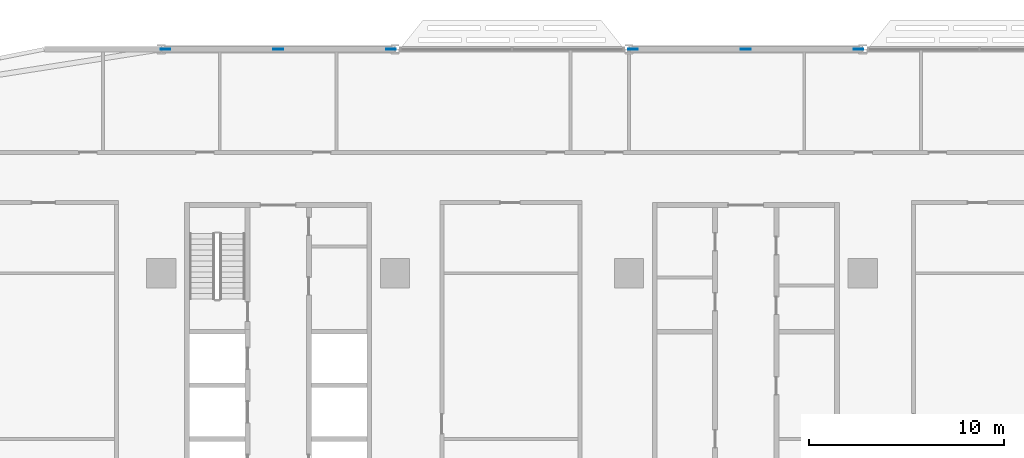
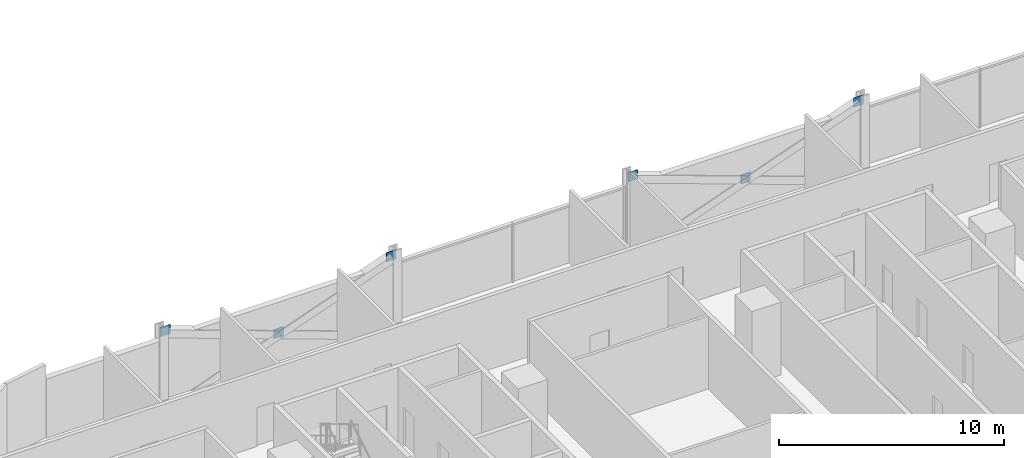
# One storey, part 21 of 29: 6 discrete accessories.
"""IFC4 building model written with IfcOpenShell, lengths in metres."""

from ifc_helpers import new_model, si_unit, direction, frame, origin, origin_2d, place, context, subcontext, project, spatial, rectangle, extrude, material, layer, layer_set, type_object, element, save


model = new_model("IFC4")

# Units and contexts
model_context = context("Model", 3, precision=1e-05, world=origin(), true_north=direction((0.0, 1.0)))
body_context = subcontext(model_context, "Body", "Model", "MODEL_VIEW")
ifc_project = project(units=[si_unit("LENGTHUNIT", "METRE"), si_unit("AREAUNIT", "SQUARE_METRE"), si_unit("VOLUMEUNIT", "CUBIC_METRE"), si_unit("PLANEANGLEUNIT", "RADIAN"), si_unit("MASSUNIT", "GRAM", prefix="KILO")], contexts=[model_context])

# Site, building, storey
site_placement = place(None, origin())
site = spatial("IfcSite", under=ifc_project, at=site_placement, CompositionType="ELEMENT")
building_placement = place(site_placement, origin())
building = spatial("IfcBuilding", under=site, at=building_placement, Name="Mahtab Terrace Research Tower", CompositionType="ELEMENT")
storey_placement = place(building_placement, frame((0.0, 0.0, 58.89990234375)))
storey = spatial("IfcBuildingStorey", under=building, at=storey_placement, Name="L13", CompositionType="ELEMENT", Elevation=58.89990234375)

# Discrete accessories
ifc_material = material(Name="Steel ASTM A992 Gr 50", Category="steel")
ifc_layer = layer(ifc_material, 0.030029296875)
ifc_layer_set = layer_set([ifc_layer], Name="Gusset plate 500x500x30")
discrete_accessory_type = type_object("IfcDiscreteAccessoryType", Name="Gusset plate 500x500x30", PredefinedType="USERDEFINED", material=ifc_layer_set)
for number, where, z_axis, x_axis, name in (
    (1, (-29.787841796875, 23.0, 3.33154296875), (0.0, 0.0, 1.0), (1.0, 0.0, 0.0), "Gusset plate"),
    (2, (-24.0, 23.0, 1.181640625), (0.0, 0.0, 1.0), (1.0, 0.0, 0.0), "Gusset plate"),
    (3, (-18.212158203125, 23.0, 3.33154296875), (0.0, 0.0, 1.0), (1.0, 0.0, 0.0), "Gusset plate"),
    (4, (-5.787841796875, 23.0, 3.33154296875), (0.0, 0.0, 1.0), (1.0, 0.0, 0.0), "Gusset plate"),
    (5, (0.0, 23.0, 1.181640625), (0.0, 0.0, 1.0), (1.0, 0.0, 0.0), "Gusset plate"),
    (6, (5.787841796875, 23.0, 3.33154296875), (0.0, 0.0, 1.0), (1.0, 0.0, 0.0), "Gusset plate"),
):
    element("IfcDiscreteAccessory", number, at=place(storey_placement, frame(where, z_axis=z_axis, x_axis=x_axis)), inside=storey, type_object=discrete_accessory_type, Name=name, ObjectType="GUSSET PLATE", PredefinedType="USERDEFINED", context=body_context, shape_type="SweptSolid", body=[
        extrude(rectangle(XDim=0.5, YDim=0.030029296875, at=origin_2d()), origin(), (0.0, 0.0, 1.0), 0.5),
    ])

save(model, "model.ifc")
